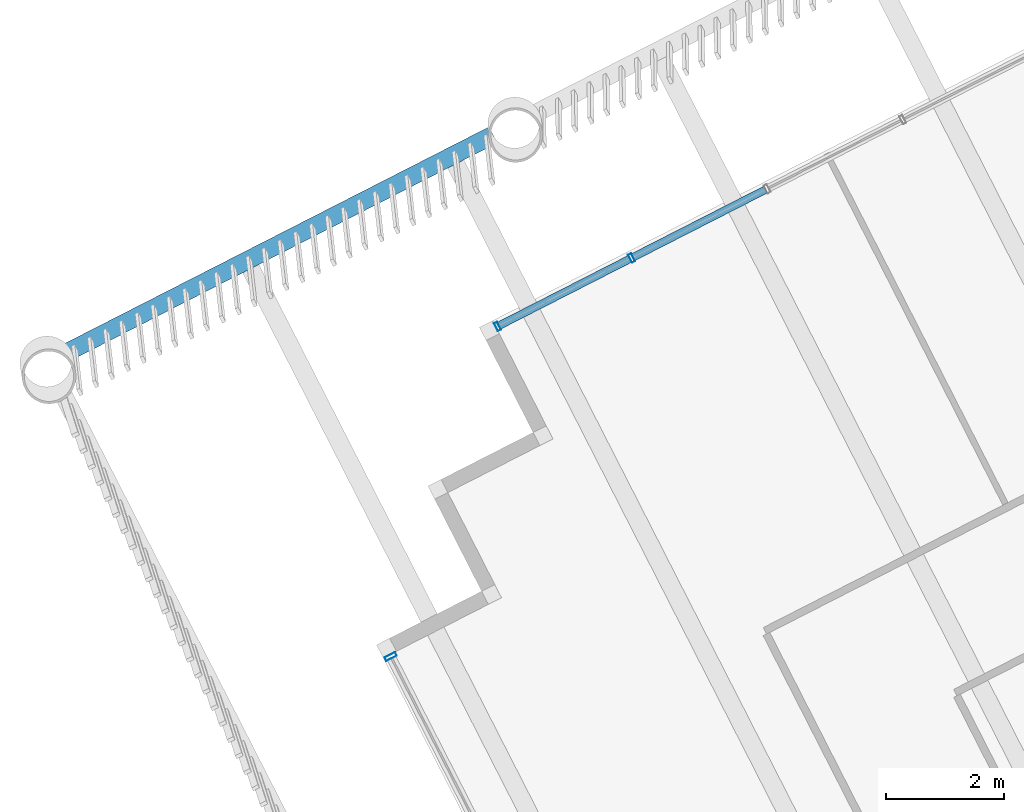
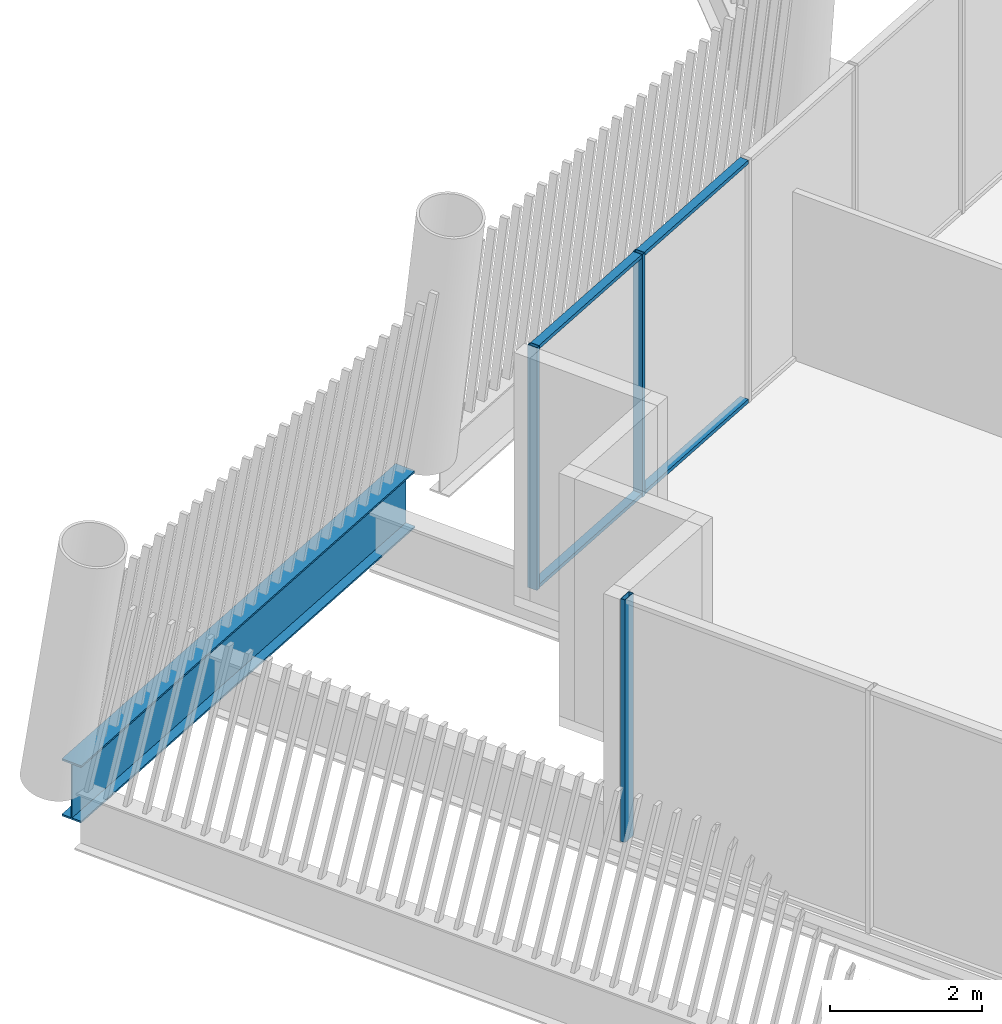
# One storey, part 6 of 28: 7 members, 1 beam, 2 elements without a shape of their own.
"""IFC4 building model written with IfcOpenShell, lengths in metres."""

from ifc_helpers import new_model, si_unit, direction, frame, origin, origin_2d, place, context, subcontext, project, spatial, hollow_rectangle, i_section, extrude, material, layer, layer_set, material_profile, profile_set, type_object, element, aggregate, save


model = new_model("IFC4")

# Units and contexts
model_context = context("Model", 3, precision=1e-05, world=origin(), true_north=direction((0.0, 1.0)))
body_context = subcontext(model_context, "Body", "Model", "MODEL_VIEW")
ifc_project = project(units=[si_unit("LENGTHUNIT", "METRE"), si_unit("AREAUNIT", "SQUARE_METRE"), si_unit("VOLUMEUNIT", "CUBIC_METRE"), si_unit("PLANEANGLEUNIT", "RADIAN"), si_unit("MASSUNIT", "GRAM", prefix="KILO")], contexts=[model_context])

# Site, building, storey
site_placement = place(None, origin())
site = spatial("IfcSite", under=ifc_project, at=site_placement, CompositionType="ELEMENT")
building_placement = place(site_placement, origin())
building = spatial("IfcBuilding", under=site, at=building_placement, Name="Tarsis Ring Headquarters", CompositionType="ELEMENT")
storey_placement = place(building_placement, frame((0.0, 0.0, 394.39990234375)))
storey = spatial("IfcBuildingStorey", under=building, at=storey_placement, Name="L93", CompositionType="ELEMENT", Elevation=394.39990234375)

# Curtain wall, member
ifc_material_1 = material(Name="Aluminium curtain wall", Category="aluminium")
ifc_layer_1 = layer(ifc_material_1, 0.199951171875)
ifc_layer_set_1 = layer_set([ifc_layer_1], Name="Curtain wall executive tip")
curtain_wall_type_1 = type_object("IfcCurtainWallType", Name="Curtain wall executive tip", PredefinedType="NOTDEFINED", material=ifc_layer_set_1)
curtain_wall_1_placement = place(storey_placement, origin())
curtain_wall_1 = element("IfcCurtainWall", 1, at=curtain_wall_1_placement, inside=storey, type_object=curtain_wall_type_1, Name="Curtain wall L93-36", PredefinedType="NOTDEFINED")
ifc_material_2 = material(Name="Aluminium mullion", Category="aluminium")
ifc_material_profile_1 = material_profile(ifc_material_2, hollow_rectangle(XDim=0.199951171875, YDim=0.070068359375, WallThickness=0.0048828125, at=origin_2d()), Name="RHS 200x70x5")
ifc_profile_set_1 = profile_set([ifc_material_profile_1], Name="Aluminium mullion")
member_type_1 = type_object("IfcMemberType", Name="Curtain wall mullion executive tip RHS 200x70x5", PredefinedType="MULLION", material=ifc_profile_set_1)
member_1_placement = place(storey_placement, frame((-39.023681640625, -11.256103515625, 0.0), z_axis=(0.0, 0.0, 1.0), x_axis=(0.890689351281, 0.454612449801, 0.0)))
member_1 = element("IfcMember", 2, at=member_1_placement, type_object=member_type_1, Name="CW-E mullion 1", PredefinedType="MULLION", context=body_context, shape_type="SweptSolid", body=[
    extrude(hollow_rectangle(XDim=0.199951171875, YDim=0.070068359375, WallThickness=0.0048828125, at=origin_2d()), origin(), (0.0, 0.0, 1.0), 3.900146484375),
])
aggregate(curtain_wall_1, [member_1])

# Curtain wall, members
ifc_layer_2 = layer(ifc_material_1, 0.14990234375)
ifc_layer_set_2 = layer_set([ifc_layer_2], Name="Curtain wall tower unit")
curtain_wall_type_2 = type_object("IfcCurtainWallType", Name="Curtain wall tower unit", PredefinedType="NOTDEFINED", material=ifc_layer_set_2)
curtain_wall_2_placement = place(storey_placement, origin())
curtain_wall_2 = element("IfcCurtainWall", 3, at=curtain_wall_2_placement, inside=storey, type_object=curtain_wall_type_2, Name="Curtain wall L93-31", PredefinedType="NOTDEFINED")
ifc_material_profile_2 = material_profile(ifc_material_2, hollow_rectangle(XDim=0.14990234375, YDim=0.06005859375, WallThickness=0.0048828125, at=origin_2d()), Name="RHS 150x60x5")
ifc_profile_set_2 = profile_set([ifc_material_profile_2], Name="Aluminium mullion")
member_type_2 = type_object("IfcMemberType", Name="Curtain wall mullion tower unit RHS 150x60x5", PredefinedType="MULLION", material=ifc_profile_set_2)
member_2_placement = place(storey_placement, frame((-34.9423828125, -4.50244140625, 0.0), z_axis=(0.0, 0.0, 1.0), x_axis=(0.454612459657, -0.890689346251, 0.0)))
member_2 = element("IfcMember", 4, at=member_2_placement, type_object=member_type_2, Name="CW-T mullion 5", PredefinedType="MULLION", context=body_context, shape_type="SweptSolid", body=[
    extrude(hollow_rectangle(XDim=0.14990234375, YDim=0.06005859375, WallThickness=0.0048828125, at=origin_2d()), origin(), (0.0, 0.0, 1.0), 3.900146484375),
])
member_3_placement = place(storey_placement, frame((-37.2138671875, -5.661865234375, 0.0), z_axis=(0.0, 0.0, 1.0), x_axis=(0.454612459657, -0.890689346251, 0.0)))
member_3 = element("IfcMember", 5, at=member_3_placement, type_object=member_type_2, Name="CW-T mullion 6", PredefinedType="MULLION", context=body_context, shape_type="SweptSolid", body=[
    extrude(hollow_rectangle(XDim=0.14990234375, YDim=0.06005859375, WallThickness=0.0048828125, at=origin_2d()), origin(), (0.0, 0.0, 1.0), 3.900146484375),
])
ifc_material_3 = material(Name="Aluminium transom", Category="aluminium")
ifc_material_profile_3 = material_profile(ifc_material_3, hollow_rectangle(XDim=0.1298828125, YDim=0.06005859375, WallThickness=0.0048828125, at=origin_2d()), Name="RHS 130x60x5")
ifc_profile_set_3 = profile_set([ifc_material_profile_3], Name="Aluminium transom")
member_type_3 = type_object("IfcMemberType", Name="Curtain wall transom tower unit RHS 130x60x5", PredefinedType="USERDEFINED", material=ifc_profile_set_3)
member_4_placement = place(storey_placement, frame((-32.6708984375, -3.343017578125, 0.030029296875), z_axis=(-0.890696236403, -0.454598960026, 0.0), x_axis=(0.454598960026, -0.890696236403, 0.0)))
member_4 = element("IfcMember", 6, at=member_4_placement, type_object=member_type_3, Name="CW-T transom 4.1", ObjectType="TRANSOM", PredefinedType="USERDEFINED", context=body_context, shape_type="SweptSolid", body=[
    extrude(hollow_rectangle(XDim=0.1298828125, YDim=0.06005859375, WallThickness=0.0048828125, at=origin_2d()), origin(), (0.0, 0.0, 1.0), 2.520263671875),
])
member_5_placement = place(storey_placement, frame((-32.6708984375, -3.343017578125, 3.8701171875), z_axis=(-0.890696236403, -0.454598960026, 0.0), x_axis=(0.454598960026, -0.890696236403, 0.0)))
member_5 = element("IfcMember", 7, at=member_5_placement, type_object=member_type_3, Name="CW-T transom 4.2", ObjectType="TRANSOM", PredefinedType="USERDEFINED", context=body_context, shape_type="SweptSolid", body=[
    extrude(hollow_rectangle(XDim=0.1298828125, YDim=0.06005859375, WallThickness=0.0048828125, at=origin_2d()), origin(), (0.0, 0.0, 1.0), 2.520263671875),
])
member_6_placement = place(storey_placement, frame((-34.96923828125, -4.51611328125, 0.030029296875), z_axis=(-0.890690580723, -0.454610041036, 0.0), x_axis=(0.454610041036, -0.890690580723, 0.0)))
member_6 = element("IfcMember", 8, at=member_6_placement, type_object=member_type_3, Name="CW-T transom 5.1", ObjectType="TRANSOM", PredefinedType="USERDEFINED", context=body_context, shape_type="SweptSolid", body=[
    extrude(hollow_rectangle(XDim=0.1298828125, YDim=0.06005859375, WallThickness=0.0048828125, at=origin_2d()), origin(), (0.0, 0.0, 1.0), 2.490234375),
])
member_7_placement = place(storey_placement, frame((-34.96923828125, -4.51611328125, 3.8701171875), z_axis=(-0.890690580723, -0.454610041036, 0.0), x_axis=(0.454610041036, -0.890690580723, 0.0)))
member_7 = element("IfcMember", 9, at=member_7_placement, type_object=member_type_3, Name="CW-T transom 5.2", ObjectType="TRANSOM", PredefinedType="USERDEFINED", context=body_context, shape_type="SweptSolid", body=[
    extrude(hollow_rectangle(XDim=0.1298828125, YDim=0.06005859375, WallThickness=0.0048828125, at=origin_2d()), origin(), (0.0, 0.0, 1.0), 2.490234375),
])
aggregate(curtain_wall_2, [member_2, member_3, member_4, member_5, member_6, member_7])

# Beam
ifc_material_4 = material(Name="Structural steel S355", Category="steel")
ifc_material_profile_4 = material_profile(ifc_material_4, i_section(OverallWidth=0.3046875, OverallDepth=0.91943359375, WebThickness=0.017333984375, FlangeThickness=0.02783203125, at=origin_2d()), Name="W36x170")
ifc_profile_set_4 = profile_set([ifc_material_profile_4], Name="Structural steel S355")
beam_type = type_object("IfcBeamType", Name="XG Ring girder W36x170", PredefinedType="BEAM", material=ifc_profile_set_4)
beam_placement = place(storey_placement, frame((-37.287109375, -2.415283203125, -0.459716796875), z_axis=(-0.890691705328, -0.454607837658, 0.0), x_axis=(0.454607837658, -0.890691705328, 0.0)))
element("IfcBeam", 10, at=beam_placement, inside=storey, type_object=beam_type, Name="Ring girder XG4", PredefinedType="BEAM", context=body_context, shape_type="SweptSolid", body=[
    extrude(i_section(OverallWidth=0.3046875, OverallDepth=0.91943359375, WebThickness=0.017333984375, FlangeThickness=0.02783203125, at=origin_2d()), origin(), (0.0, 0.0, 1.0), 8.0791015625),
])

save(model, "model.ifc")
